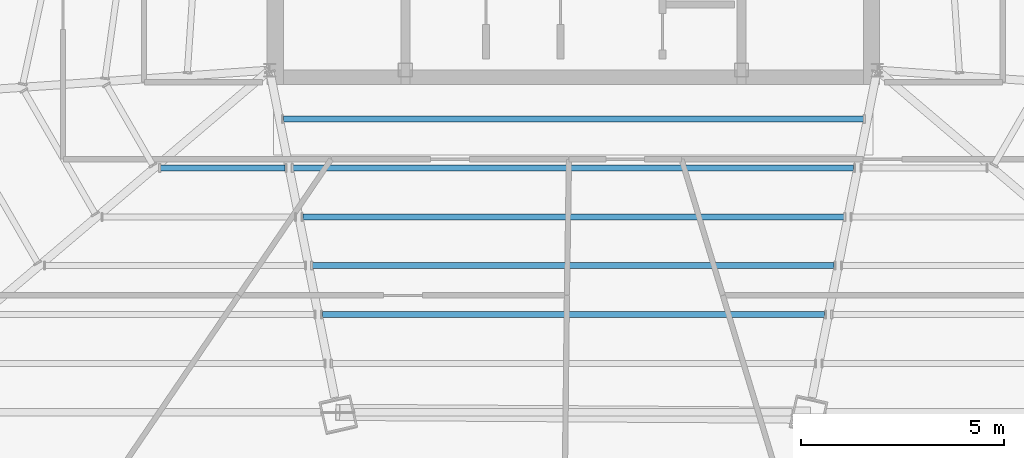
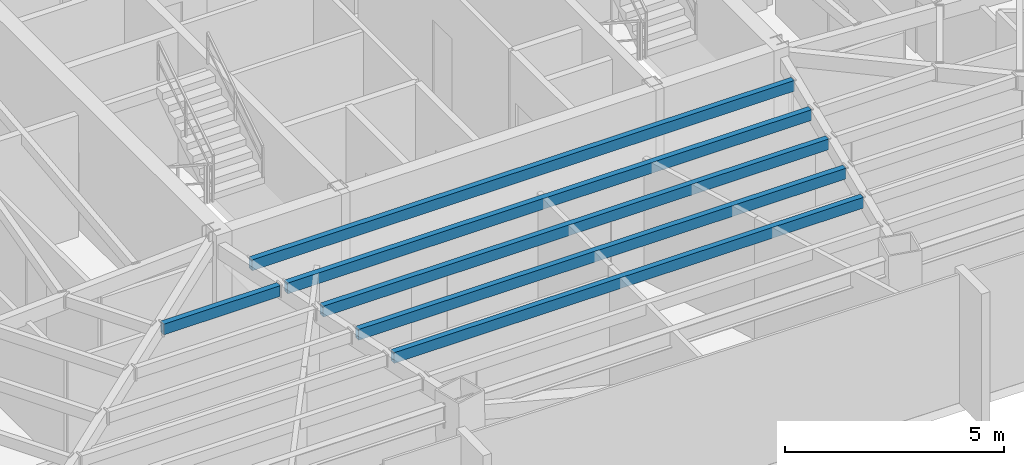
# One storey, part 14 of 49: 6 beams.
"""IFC4 building model written with IfcOpenShell, lengths in metres."""

import ifcopenshell
import ifcopenshell.guid

model = None  # the IFC model being written
_history = None  # IfcOwnerHistory: only IFC2X3 demands one
_inside = {}  # id of a spatial element -> (the spatial element, [elements in it])
_under = {}  # id of a project, library or spatial element -> (it, [spatial elements below it])
_declared = {}  # id of a project -> (the project, [libraries it declares])
_typed = {}  # id of a type object -> (the type object, [elements of that type])
_made_of = {}  # id of a material, layer set ... -> (it, [elements and type objects made of it])


def new_model(schema):
    """Start an empty IFC model of exactly this schema.

    Asked for "IFC4X3", IfcOpenShell would pick the latest addendum, in which some entities
    have other attributes; the version numbers below select the first issue.
    IFC2X3 requires an IfcOwnerHistory on every rooted entity: one is made here for all.
    """
    global model, _history
    if schema == "IFC4X3":
        model = ifcopenshell.file(schema_version=(4, 3, 0, 0))
    else:
        model = ifcopenshell.file(schema=schema)
    _inside.clear()
    _under.clear()
    _declared.clear()
    _typed.clear()
    _made_of.clear()
    _history = None
    if model.schema == "IFC2X3":
        org = make("IfcOrganization", Name="unknown")
        user = make(
            "IfcPersonAndOrganization",
            ThePerson=make("IfcPerson", FamilyName="unknown"),
            TheOrganization=org,
        )
        app = make(
            "IfcApplication",
            ApplicationDeveloper=org,
            Version="unknown",
            ApplicationFullName="unknown",
            ApplicationIdentifier="unknown",
        )
        _history = make(
            "IfcOwnerHistory",
            OwningUser=user,
            OwningApplication=app,
            ChangeAction="ADDED",
            CreationDate=0,
        )
    return model


def make(cls, **values):
    """One entity of the class cls with the attributes given. An attribute that is None is left unset."""
    return model.create_entity(
        cls, **{name: value for name, value in values.items() if value is not None}
    )


def rooted(cls, **values):
    """An entity with a GlobalId (a new one), such as an element, a storey or a relation."""
    return make(cls, GlobalId=ifcopenshell.guid.new(), OwnerHistory=_history, **values)


def si_unit(unit_type, name, prefix=None):
    """IfcSIUnit, for example si_unit("LENGTHUNIT", "METRE", prefix="MILLI")."""
    return make("IfcSIUnit", UnitType=unit_type, Prefix=prefix, Name=name)


def assignment(units):
    """IfcUnitAssignment: the units of a project."""
    return None if units is None else make("IfcUnitAssignment", Units=units)


def point(xyz):
    """IfcCartesianPoint."""
    return None if xyz is None else make("IfcCartesianPoint", Coordinates=xyz)


def direction(xyz):
    """IfcDirection."""
    return None if xyz is None else make("IfcDirection", DirectionRatios=xyz)


def frame(location, z_axis=None, x_axis=None):
    """IfcAxis2Placement3D, a coordinate frame: its origin and axes. An axis left out is left unset."""
    return make(
        "IfcAxis2Placement3D",
        Location=point(location),
        Axis=direction(z_axis),
        RefDirection=direction(x_axis),
    )


def frame_2d(location, x_axis=None):
    """IfcAxis2Placement2D, a coordinate frame in the plane: its origin and x axis."""
    return make(
        "IfcAxis2Placement2D", Location=point(location), RefDirection=direction(x_axis)
    )


def origin():
    """The frame at (0, 0, 0) with its axes left unset."""
    return frame((0.0, 0.0, 0.0))


def origin_2d():
    """The frame at (0, 0) in the plane with its x axis left unset."""
    return frame_2d((0.0, 0.0))


def place(relative_to, where):
    """IfcLocalPlacement: puts the frame where relative to a parent placement (None: the world)."""
    return make(
        "IfcLocalPlacement", PlacementRelTo=relative_to, RelativePlacement=where
    )


def context(
    kind, dimensions, precision=None, world=None, true_north=None, identifier=None
):
    """IfcGeometricRepresentationContext, for example the 3D "Model" context."""
    return make(
        "IfcGeometricRepresentationContext",
        ContextIdentifier=identifier,
        ContextType=kind,
        CoordinateSpaceDimension=dimensions,
        Precision=precision,
        WorldCoordinateSystem=world,
        TrueNorth=true_north,
    )


def subcontext(parent, identifier, kind, view, scale=None):
    """IfcGeometricRepresentationSubContext, for example "Body" below "Model"."""
    return make(
        "IfcGeometricRepresentationSubContext",
        ContextIdentifier=identifier,
        ContextType=kind,
        ParentContext=parent,
        TargetScale=scale,
        TargetView=view,
    )


def project(units=None, contexts=None):
    """IfcProject with its units and contexts."""
    return rooted(
        "IfcProject",
        Name="project",
        RepresentationContexts=contexts,
        UnitsInContext=assignment(units),
    )


def spatial(cls, under=None, at=None, **own):
    """A site, building, storey or space (cls), placed at a placement, below another one or the project."""
    s = rooted(cls, ObjectPlacement=at, **own)
    if under is not None:
        _under.setdefault(under.id(), (under, []))[1].append(s)
    return s


def profile(cls, at=None, kind="AREA", **sizes):
    """A parametric profile (cls). Its sizes go by their IFC names, for example OverallWidth=200.0."""
    return make(cls, ProfileType=kind, Position=at, **sizes)


def hollow_rectangle(**sizes):
    """IfcRectangleHollowProfileDef."""
    return profile("IfcRectangleHollowProfileDef", **sizes)


def extrude(swept, where, along, depth):
    """IfcExtrudedAreaSolid: the profile swept, set in the frame where, extruded along a direction by depth."""
    return make(
        "IfcExtrudedAreaSolid",
        SweptArea=swept,
        Position=where,
        ExtrudedDirection=direction(along),
        Depth=depth,
    )


def shape(context_of_items, identifier, shape_type, items):
    """IfcShapeRepresentation: the items that make up one representation, for example the "Body"."""
    return make(
        "IfcShapeRepresentation",
        ContextOfItems=context_of_items,
        RepresentationIdentifier=identifier,
        RepresentationType=shape_type,
        Items=items,
    )


def source(mapping_origin, context_of_items, identifier, shape_type, items):
    """IfcRepresentationMap: a shape defined once, which mapped items show again and again."""
    return make(
        "IfcRepresentationMap",
        MappingOrigin=mapping_origin,
        MappedRepresentation=shape(context_of_items, identifier, shape_type, items),
    )


def transform(
    local_origin,
    x_axis=None,
    y_axis=None,
    z_axis=None,
    scale=None,
    scale2=None,
    scale3=None,
    uniform=True,
):
    """IfcCartesianTransformationOperator3D, or its non-uniform kind. x_axis, y_axis, z_axis: its Axis1, 2, 3."""
    if uniform:
        return make(
            "IfcCartesianTransformationOperator3D",
            Axis1=direction(x_axis),
            Axis2=direction(y_axis),
            LocalOrigin=point(local_origin),
            Scale=scale,
            Axis3=direction(z_axis),
        )
    return make(
        "IfcCartesianTransformationOperator3DnonUniform",
        Axis1=direction(x_axis),
        Axis2=direction(y_axis),
        LocalOrigin=point(local_origin),
        Scale=scale,
        Axis3=direction(z_axis),
        Scale2=scale2,
        Scale3=scale3,
    )


def mapped(mapping_source, mapping_target):
    """IfcMappedItem: shows the shape of a source again, moved by a transform."""
    return make(
        "IfcMappedItem", MappingSource=mapping_source, MappingTarget=mapping_target
    )


def material(Name=None, Category=None):
    """IfcMaterial."""
    return make("IfcMaterial", Name=Name, Category=Category)


def material_profile(
    of_material, cross_section, Name=None, Category=None, Priority=None
):
    """IfcMaterialProfile: a cross section and its material."""
    return make(
        "IfcMaterialProfile",
        Name=Name,
        Material=of_material,
        Profile=cross_section,
        Priority=Priority,
        Category=Category,
    )


def profile_set(profiles, Name=None, composite=None):
    """IfcMaterialProfileSet."""
    return make(
        "IfcMaterialProfileSet",
        Name=Name,
        MaterialProfiles=profiles,
        CompositeProfile=composite,
    )


def made_of(thing, what):
    """Note that an element or type object is made of a material, layer set ...; save() writes the relation."""
    if what is not None:
        _made_of.setdefault(what.id(), (what, []))[1].append(thing)
    return thing


def type_object(cls, material=None, **own):
    """A type object (cls), such as IfcWallType, which elements share."""
    return made_of(rooted(cls, **own), material)


def type_shapes(of_type, sources):
    """Give a type object the sources (RepresentationMaps) that its elements show as mapped items."""
    of_type.RepresentationMaps = sources


def element(
    cls,
    number,
    at=None,
    inside=None,
    cuts=None,
    type_object=None,
    material=None,
    context=None,
    identifier="Body",
    shape_type=None,
    held_by="IfcProductDefinitionShape",
    body=None,
    shapes=None,
    **own,
):
    """One element of the class cls, such as IfcWall. Its Tag is "e" and its number.

    at: its placement. inside: the storey or other place that contains it. cuts: it is an
    opening in that element (IfcRelVoidsElement). A single representation is given by context,
    identifier, shape_type and body (its items); several are given by shapes. held_by: the class
    of the entity that holds the representations. save() writes the other relations.
    """
    e = rooted(cls, Tag="e%d" % number, ObjectPlacement=at, **own)
    if body is not None:
        shapes = [shape(context, identifier, shape_type, body)]
    if shapes is not None:
        e.Representation = make(held_by, Representations=shapes)
    if inside is not None:
        _inside.setdefault(inside.id(), (inside, []))[1].append(e)
    if cuts is not None:
        rooted(
            "IfcRelVoidsElement", RelatingBuildingElement=cuts, RelatedOpeningElement=e
        )
    if type_object is not None:
        _typed.setdefault(type_object.id(), (type_object, []))[1].append(e)
    return made_of(e, material)


def aggregate(whole, parts):
    """IfcRelAggregates: a whole, such as a stair, and the parts it consists of."""
    return rooted("IfcRelAggregates", RelatingObject=whole, RelatedObjects=parts)


def save(model, path):
    """Write the relations noted so far, then the file.

    IfcRelAggregates (storeys below a building ...), IfcRelContainedInSpatialStructure (elements
    in a storey), IfcRelDefinesByType, IfcRelAssociatesMaterial and IfcRelDeclares: one each for
    every whole, place, type object, material and project.
    """
    for whole, parts in _under.values():
        aggregate(whole, parts)
    for where, things in _inside.values():
        rooted(
            "IfcRelContainedInSpatialStructure",
            RelatedElements=things,
            RelatingStructure=where,
        )
    for kind, things in _typed.values():
        rooted("IfcRelDefinesByType", RelatedObjects=things, RelatingType=kind)
    for what, things in _made_of.values():
        rooted("IfcRelAssociatesMaterial", RelatedObjects=things, RelatingMaterial=what)
    for by, libraries in _declared.values():
        rooted("IfcRelDeclares", RelatingContext=by, RelatedDefinitions=libraries)
    model.write(path)


model = new_model("IFC4")

# Units and contexts
model_context = context("Model", 3, precision=1e-05, world=origin(), true_north=direction((0.0, 1.0)))
body_context = subcontext(model_context, "Body", "Model", "MODEL_VIEW")
ifc_project = project(units=[si_unit("LENGTHUNIT", "METRE"), si_unit("AREAUNIT", "SQUARE_METRE"), si_unit("VOLUMEUNIT", "CUBIC_METRE"), si_unit("PLANEANGLEUNIT", "RADIAN"), si_unit("MASSUNIT", "GRAM", prefix="KILO")], contexts=[model_context])

# Site, building, storey
site_placement = place(None, origin())
site = spatial("IfcSite", under=ifc_project, at=site_placement, CompositionType="ELEMENT")
building_placement = place(site_placement, origin())
building = spatial("IfcBuilding", under=site, at=building_placement, Name="Caelisora Broadcast Tower", CompositionType="ELEMENT")
storey_placement = place(building_placement, frame((0.0, 0.0, 233.5)))
storey = spatial("IfcBuildingStorey", under=building, at=storey_placement, Name="L61", CompositionType="ELEMENT", Elevation=233.5)

# Beams
ifc_material = material(Name="Steel Grade 350 (AS/NZS 1163 C350L0)", Category="steel")
ifc_material_profile = material_profile(ifc_material, hollow_rectangle(XDim=0.14990234375, YDim=0.300048828125, WallThickness=0.010009765625, at=origin_2d()), Name="Steel Grade 350 (AS/NZS 1163 C350L0)")
ifc_profile_set = profile_set([ifc_material_profile], Name="Steel Grade 350 (AS/NZS 1163 C350L0)")
beam_type = type_object("IfcBeamType", Name="SB05", PredefinedType="JOIST", material=ifc_profile_set)
shared_shape_1 = source(origin(), body_context, "Body", "SweptSolid", [
    extrude(hollow_rectangle(XDim=0.14990234375, YDim=0.300048828125, WallThickness=0.010009765625, at=origin_2d()), origin(), (0.0, 0.0, 1.0), 3.07421875),
])
beam_1_placement = place(storey_placement, frame((27.807373046875, 14.98583984375, 3.25), z_axis=(1.0, 0.0, 0.0), x_axis=(0.0, 1.0, 0.0)))
element("IfcBeam", 1, at=beam_1_placement, inside=storey, type_object=beam_type, Name="L61 beam SB05", PredefinedType="JOIST", context=body_context, shape_type="MappedRepresentation", body=[
    mapped(shared_shape_1, transform((0.0, 0.0, 0.0), scale=1.0)),
])
shared_shape_2 = source(origin(), body_context, "Body", "SweptSolid", [
    extrude(hollow_rectangle(XDim=0.14990234375, YDim=0.300048828125, WallThickness=0.010009765625, at=origin_2d()), origin(), (0.0, 0.0, 1.0), 14.3212890625),
])
beam_2_placement = place(storey_placement, frame((30.83935546875, 16.19287109375, 3.25), z_axis=(1.0, 0.0, 0.0), x_axis=(0.0, 1.0, 0.0)))
element("IfcBeam", 2, at=beam_2_placement, inside=storey, type_object=beam_type, Name="L61 beam SB05", PredefinedType="JOIST", context=body_context, shape_type="MappedRepresentation", body=[
    mapped(shared_shape_2, transform((0.0, 0.0, 0.0), scale=1.0)),
])
shared_shape_3 = source(origin(), body_context, "Body", "SweptSolid", [
    extrude(hollow_rectangle(XDim=0.14990234375, YDim=0.300048828125, WallThickness=0.010009765625, at=origin_2d()), origin(), (0.0, 0.0, 1.0), 13.8408203125),
])
beam_3_placement = place(storey_placement, frame((31.07958984375, 14.98583984375, 3.25), z_axis=(1.0, 0.0, 0.0), x_axis=(0.0, 1.0, 0.0)))
element("IfcBeam", 3, at=beam_3_placement, inside=storey, type_object=beam_type, Name="L61 beam SB05", PredefinedType="JOIST", context=body_context, shape_type="MappedRepresentation", body=[
    mapped(shared_shape_3, transform((0.0, 0.0, 0.0), scale=1.0)),
])
shared_shape_4 = source(origin(), body_context, "Body", "SweptSolid", [
    extrude(hollow_rectangle(XDim=0.14990234375, YDim=0.300048828125, WallThickness=0.010009765625, at=origin_2d()), origin(), (0.0, 0.0, 1.0), 13.3603515625),
])
beam_4_placement = place(storey_placement, frame((31.31982421875, 13.77880859375, 3.25), z_axis=(1.0, 0.0, 0.0), x_axis=(0.0, 1.0, 0.0)))
element("IfcBeam", 4, at=beam_4_placement, inside=storey, type_object=beam_type, Name="L61 beam SB05", PredefinedType="JOIST", context=body_context, shape_type="MappedRepresentation", body=[
    mapped(shared_shape_4, transform((0.0, 0.0, 0.0), scale=1.0)),
])
shared_shape_5 = source(origin(), body_context, "Body", "SweptSolid", [
    extrude(hollow_rectangle(XDim=0.14990234375, YDim=0.300048828125, WallThickness=0.010009765625, at=origin_2d()), origin(), (0.0, 0.0, 1.0), 12.8798828125),
])
beam_5_placement = place(storey_placement, frame((31.56005859375, 12.57177734375, 3.25), z_axis=(1.0, 0.0, 0.0), x_axis=(0.0, 1.0, 0.0)))
element("IfcBeam", 5, at=beam_5_placement, inside=storey, type_object=beam_type, Name="L61 beam SB05", PredefinedType="JOIST", context=body_context, shape_type="MappedRepresentation", body=[
    mapped(shared_shape_5, transform((0.0, 0.0, 0.0), scale=1.0)),
])
shared_shape_6 = source(origin(), body_context, "Body", "SweptSolid", [
    extrude(hollow_rectangle(XDim=0.14990234375, YDim=0.300048828125, WallThickness=0.010009765625, at=origin_2d()), origin(), (0.0, 0.0, 1.0), 12.3994140625),
])
type_shapes(beam_type, [shared_shape_1, shared_shape_2, shared_shape_3, shared_shape_4, shared_shape_5, shared_shape_6])
beam_6_placement = place(storey_placement, frame((31.80029296875, 11.36474609375, 3.25), z_axis=(1.0, 0.0, 0.0), x_axis=(0.0, 1.0, 0.0)))
element("IfcBeam", 6, at=beam_6_placement, inside=storey, type_object=beam_type, Name="L61 beam SB05", PredefinedType="JOIST", context=body_context, shape_type="MappedRepresentation", body=[
    mapped(shared_shape_6, transform((0.0, 0.0, 0.0), scale=1.0)),
])

save(model, "model.ifc")
